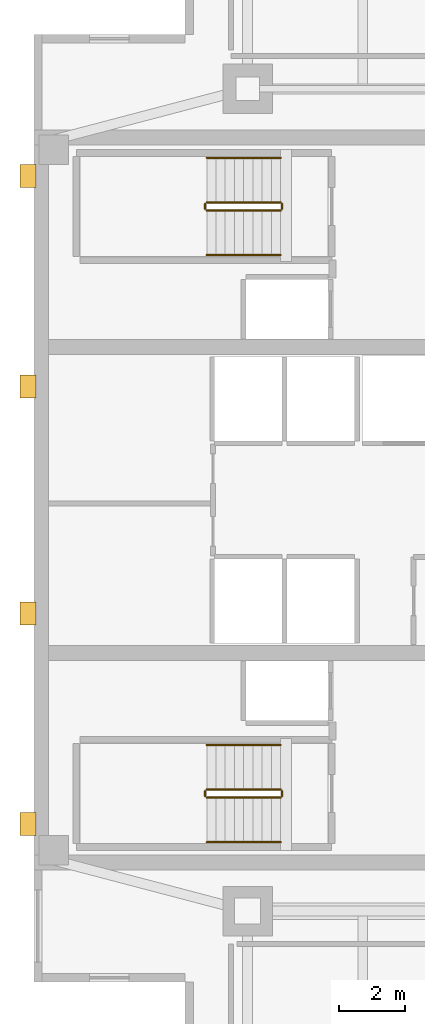
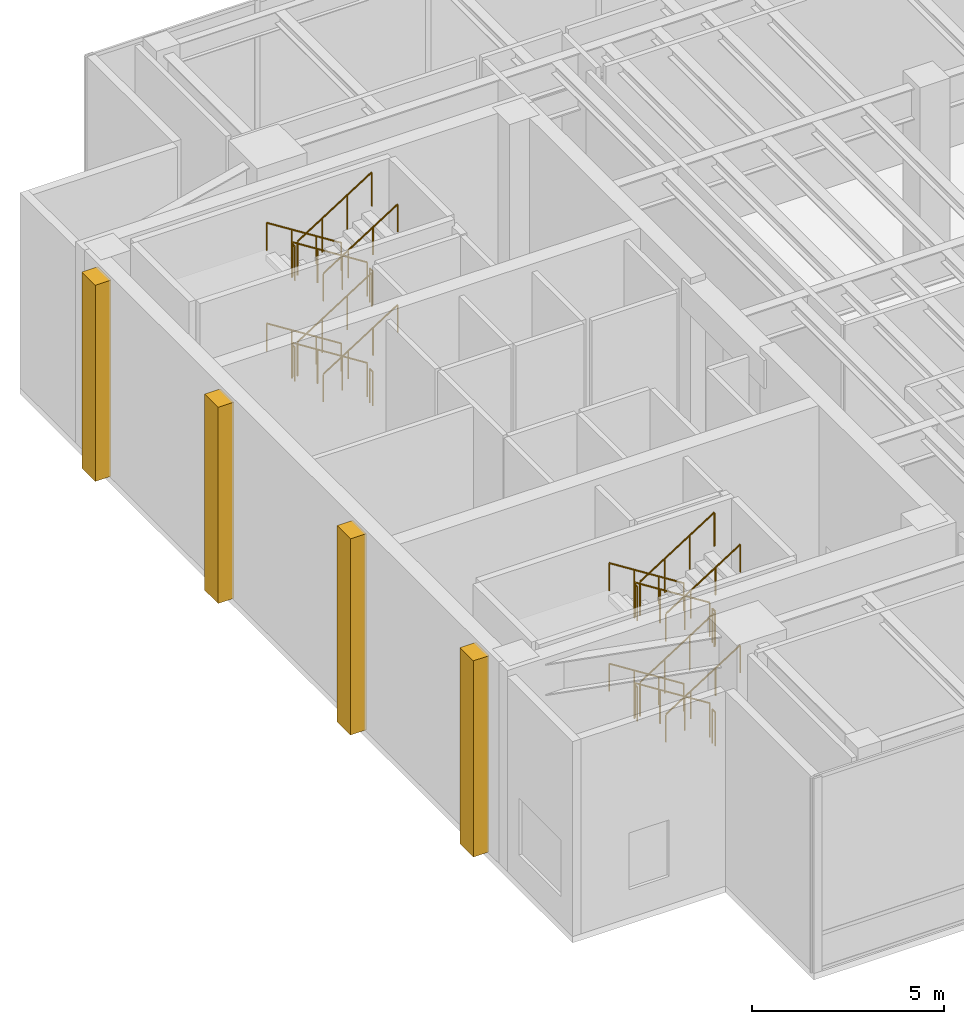
# One storey, part 11 of 11: 24 railings, 4 coverings.
"""IFC4 building model written with IfcOpenShell, lengths in metres."""

from ifc_helpers import new_model, si_unit, direction, frame, origin, origin_2d, place, context, subcontext, project, spatial, polyline, circle, outline, extrude, material, layer, layer_set, type_object, element, save


model = new_model("IFC4")

# Units and contexts
model_context = context("Model", 3, precision=1e-05, world=origin(), true_north=direction((0.0, 1.0)))
body_context = subcontext(model_context, "Body", "Model", "MODEL_VIEW")
ifc_project = project(units=[si_unit("LENGTHUNIT", "METRE"), si_unit("AREAUNIT", "SQUARE_METRE"), si_unit("VOLUMEUNIT", "CUBIC_METRE"), si_unit("PLANEANGLEUNIT", "RADIAN"), si_unit("MASSUNIT", "GRAM", prefix="KILO")], contexts=[model_context])

# Site, building, storey
site_placement = place(None, origin())
site = spatial("IfcSite", under=ifc_project, at=site_placement, CompositionType="ELEMENT")
building_placement = place(site_placement, origin())
building = spatial("IfcBuilding", under=site, at=building_placement, Name="Kinhvarn Gate Tower", CompositionType="ELEMENT")
storey_placement = place(building_placement, frame((0.0, 0.0, 296.64990234375)))
storey = spatial("IfcBuildingStorey", under=building, at=storey_placement, Name="L79", CompositionType="ELEMENT", Elevation=296.64990234375)

# Coverings
ifc_material_1 = material(Name="Precast white architectural concrete C40/50", Category="concrete")
ifc_layer = layer(ifc_material_1, 0.47998046875)
ifc_layer_set = layer_set([ifc_layer], Name="Precast white architectural concrete C40/50")
covering_type = type_object("IfcCoveringType", Name="COV-RIB-450", PredefinedType="CLADDING", material=ifc_layer_set)
covering_1_placement = place(storey_placement, frame((0.0, 0.0, -0.02001953125)))
element("IfcCovering", 1, at=covering_1_placement, inside=storey, type_object=covering_type, Name="West Core Sculptural Concrete Relief Rib CRB-450 (L79)", PredefinedType="CLADDING", context=body_context, shape_type="SweptSolid", body=[
    extrude(outline(polyline([(4.080078125, 15.050048828125), (4.56005859375, 15.050048828125), (4.56005859375, 15.75), (4.080078125, 15.75), (4.080078125, 15.050048828125)])), origin(), (0.0, 0.0, 1.0), 6.240234375),
])
covering_2_placement = place(storey_placement, frame((0.0, 0.0, -0.02001953125)))
element("IfcCovering", 2, at=covering_2_placement, inside=storey, type_object=covering_type, Name="West Core Sculptural Concrete Relief Rib CRB-450 (L79)", PredefinedType="CLADDING", context=body_context, shape_type="SweptSolid", body=[
    extrude(outline(polyline([(4.080078125, 21.449951171875), (4.56005859375, 21.449951171875), (4.56005859375, 22.14990234375), (4.080078125, 22.14990234375), (4.080078125, 21.449951171875)])), origin(), (0.0, 0.0, 1.0), 6.240234375),
])
covering_3_placement = place(storey_placement, frame((0.0, 0.0, -0.02001953125)))
element("IfcCovering", 3, at=covering_3_placement, inside=storey, type_object=covering_type, Name="West Core Sculptural Concrete Relief Rib CRB-450 (L79)", PredefinedType="CLADDING", context=body_context, shape_type="SweptSolid", body=[
    extrude(outline(polyline([(4.080078125, 28.35009765625), (4.56005859375, 28.35009765625), (4.56005859375, 29.050048828125), (4.080078125, 29.050048828125), (4.080078125, 28.35009765625)])), origin(), (0.0, 0.0, 1.0), 6.240234375),
])
covering_4_placement = place(storey_placement, frame((0.0, 0.0, -0.02001953125)))
element("IfcCovering", 4, at=covering_4_placement, inside=storey, type_object=covering_type, Name="West Core Sculptural Concrete Relief Rib CRB-450 (L79)", PredefinedType="CLADDING", context=body_context, shape_type="SweptSolid", body=[
    extrude(outline(polyline([(4.080078125, 34.75), (4.56005859375, 34.75), (4.56005859375, 35.449951171875), (4.080078125, 35.449951171875), (4.080078125, 34.75)])), origin(), (0.0, 0.0, 1.0), 6.240234375),
])

# Railings
ifc_material_2 = material(Name="Steel S355", Category="steel")
railing_type_1 = type_object("IfcRailingType", Name="RL-ST-GRD", PredefinedType="BALUSTRADE", material=ifc_material_2)
railing_1_placement = place(storey_placement, frame((12.0, 16.449951171875, 0.177978515625)))
element("IfcRailing", 5, at=railing_1_placement, inside=storey, type_object=railing_type_1, Name="L79 ST1 stair guard 1", PredefinedType="BALUSTRADE", context=body_context, shape_type="SweptSolid", body=[
    extrude(circle(Radius=0.02392578125, at=origin_2d()), frame((0.0, 0.0, 1.076171875), z_axis=(-0.8442293374, 0.0, 0.53598211339), x_axis=(0.0, -1.0, 0.0)), (0.0, 0.0, 1.0), 2.6533203125),
    extrude(circle(Radius=0.02099609375, at=origin_2d()), origin(), (0.0, 0.0, 1.0), 1.052001953125),
    extrude(circle(Radius=0.02099609375, at=origin_2d()), frame((-0.74658203125, 0.0, 0.47412109375)), (0.0, 0.0, 1.0), 1.052001953125),
    extrude(circle(Radius=0.02099609375, at=origin_2d()), frame((-1.493408203125, 0.0, 0.947998046875)), (0.0, 0.0, 1.0), 1.052001953125),
    extrude(circle(Radius=0.02099609375, at=origin_2d()), frame((-2.239990234375, 0.0, 1.422119140625)), (0.0, 0.0, 1.0), 1.052001953125),
])
railing_2_placement = place(storey_placement, frame((9.7099609375, 16.39990234375, 1.60009765625)))
element("IfcRailing", 6, at=railing_2_placement, inside=storey, type_object=railing_type_1, Name="L79 ST1 stair guard 2", PredefinedType="BALUSTRADE", context=body_context, shape_type="SweptSolid", body=[
    extrude(circle(Radius=0.02392578125, at=origin_2d()), frame((0.0, 0.0, 1.076171875), z_axis=(0.0, -1.0, 0.0), x_axis=(1.0, 0.0, 0.0)), (0.0, 0.0, 1.0), 0.14990234375),
    extrude(circle(Radius=0.02099609375, at=origin_2d()), origin(), (0.0, 0.0, 1.0), 1.052001953125),
    extrude(circle(Radius=0.02099609375, at=origin_2d()), frame((0.0, -0.14990234375, 0.0)), (0.0, 0.0, 1.0), 1.052001953125),
])
railing_3_placement = place(storey_placement, frame((9.760009765625, 16.199951171875, 1.77783203125)))
element("IfcRailing", 7, at=railing_3_placement, inside=storey, type_object=railing_type_1, Name="L79 ST1 stair guard 3", PredefinedType="BALUSTRADE", context=body_context, shape_type="SweptSolid", body=[
    extrude(circle(Radius=0.02392578125, at=origin_2d()), frame((0.0, 0.0, 1.076171875), z_axis=(0.84418770128, 0.0, 0.536047689118), x_axis=(0.0, 1.0, 0.0)), (0.0, 0.0, 1.0), 2.6533203125),
    extrude(circle(Radius=0.02099609375, at=origin_2d()), origin(), (0.0, 0.0, 1.0), 1.052001953125),
    extrude(circle(Radius=0.02099609375, at=origin_2d()), frame((0.74658203125, 0.0, 0.47412109375)), (0.0, 0.0, 1.0), 1.052001953125),
    extrude(circle(Radius=0.02099609375, at=origin_2d()), frame((1.493408203125, 0.0, 0.9482421875)), (0.0, 0.0, 1.0), 1.052001953125),
    extrude(circle(Radius=0.02099609375, at=origin_2d()), frame((2.239990234375, 0.0, 1.42236328125)), (0.0, 0.0, 1.0), 1.052001953125),
])
railing_4_placement = place(storey_placement, frame((12.050048828125, 16.39990234375, 3.2001953125)))
element("IfcRailing", 8, at=railing_4_placement, inside=storey, type_object=railing_type_1, Name="L79 ST1 stair guard 4", PredefinedType="BALUSTRADE", context=body_context, shape_type="SweptSolid", body=[
    extrude(circle(Radius=0.02392578125, at=origin_2d()), frame((0.0, 0.0, 1.076171875), z_axis=(0.0, -1.0, 0.0), x_axis=(1.0, 0.0, 0.0)), (0.0, 0.0, 1.0), 0.14990234375),
    extrude(circle(Radius=0.02099609375, at=origin_2d()), origin(), (0.0, 0.0, 1.0), 1.052001953125),
    extrude(circle(Radius=0.02099609375, at=origin_2d()), frame((0.0, -0.14990234375, 0.0)), (0.0, 0.0, 1.0), 1.052001953125),
])
railing_5_placement = place(storey_placement, frame((12.0, 16.449951171875, 3.3779296875)))
element("IfcRailing", 9, at=railing_5_placement, inside=storey, type_object=railing_type_1, Name="L79 ST1 stair guard 5", PredefinedType="BALUSTRADE", context=body_context, shape_type="SweptSolid", body=[
    extrude(circle(Radius=0.02392578125, at=origin_2d()), frame((0.0, 0.0, 1.076171875), z_axis=(-0.8442293374, 0.0, 0.53598211339), x_axis=(0.0, -1.0, 0.0)), (0.0, 0.0, 1.0), 2.6533203125),
    extrude(circle(Radius=0.02099609375, at=origin_2d()), origin(), (0.0, 0.0, 1.0), 1.052001953125),
    extrude(circle(Radius=0.02099609375, at=origin_2d()), frame((-0.74658203125, 0.0, 0.47412109375)), (0.0, 0.0, 1.0), 1.052001953125),
    extrude(circle(Radius=0.02099609375, at=origin_2d()), frame((-1.493408203125, 0.0, 0.947998046875)), (0.0, 0.0, 1.0), 1.052001953125),
    extrude(circle(Radius=0.02099609375, at=origin_2d()), frame((-2.239990234375, 0.0, 1.422119140625)), (0.0, 0.0, 1.0), 1.052001953125),
])
railing_6_placement = place(storey_placement, frame((9.7099609375, 16.39990234375, 4.800048828125)))
element("IfcRailing", 10, at=railing_6_placement, inside=storey, type_object=railing_type_1, Name="L79 ST1 stair guard 6", PredefinedType="BALUSTRADE", context=body_context, shape_type="SweptSolid", body=[
    extrude(circle(Radius=0.02392578125, at=origin_2d()), frame((0.0, 0.0, 1.076171875), z_axis=(0.0, -1.0, 0.0), x_axis=(1.0, 0.0, 0.0)), (0.0, 0.0, 1.0), 0.14990234375),
    extrude(circle(Radius=0.02099609375, at=origin_2d()), origin(), (0.0, 0.0, 1.0), 1.052001953125),
    extrude(circle(Radius=0.02099609375, at=origin_2d()), frame((0.0, -0.14990234375, 0.0)), (0.0, 0.0, 1.0), 1.052001953125),
])
railing_7_placement = place(storey_placement, frame((9.760009765625, 16.199951171875, 4.977783203125)))
element("IfcRailing", 11, at=railing_7_placement, inside=storey, type_object=railing_type_1, Name="L79 ST1 stair guard 7", PredefinedType="BALUSTRADE", context=body_context, shape_type="SweptSolid", body=[
    extrude(circle(Radius=0.02392578125, at=origin_2d()), frame((0.0, 0.0, 1.076171875), z_axis=(0.84418770128, 0.0, 0.536047689118), x_axis=(0.0, 1.0, 0.0)), (0.0, 0.0, 1.0), 2.6533203125),
    extrude(circle(Radius=0.02099609375, at=origin_2d()), origin(), (0.0, 0.0, 1.0), 1.052001953125),
    extrude(circle(Radius=0.02099609375, at=origin_2d()), frame((0.74658203125, 0.0, 0.47412109375)), (0.0, 0.0, 1.0), 1.052001953125),
    extrude(circle(Radius=0.02099609375, at=origin_2d()), frame((1.493408203125, 0.0, 0.9482421875)), (0.0, 0.0, 1.0), 1.052001953125),
    extrude(circle(Radius=0.02099609375, at=origin_2d()), frame((2.239990234375, 0.0, 1.42236328125)), (0.0, 0.0, 1.0), 1.052001953125),
])
railing_8_placement = place(storey_placement, frame((12.050048828125, 16.39990234375, 0.0)))
element("IfcRailing", 12, at=railing_8_placement, inside=storey, type_object=railing_type_1, Name="L79 ST1 stair guard 8", PredefinedType="BALUSTRADE", context=body_context, shape_type="SweptSolid", body=[
    extrude(circle(Radius=0.02392578125, at=origin_2d()), frame((0.0, 0.0, 1.076171875), z_axis=(0.0, -1.0, 0.0), x_axis=(1.0, 0.0, 0.0)), (0.0, 0.0, 1.0), 0.14990234375),
    extrude(circle(Radius=0.02099609375, at=origin_2d()), origin(), (0.0, 0.0, 1.0), 1.052001953125),
    extrude(circle(Radius=0.02099609375, at=origin_2d()), frame((0.0, -0.14990234375, 0.0)), (0.0, 0.0, 1.0), 1.052001953125),
])
railing_9_placement = place(storey_placement, frame((12.0, 34.300048828125, 0.177978515625)))
element("IfcRailing", 13, at=railing_9_placement, inside=storey, type_object=railing_type_1, Name="L79 ST2 stair guard 1", PredefinedType="BALUSTRADE", context=body_context, shape_type="SweptSolid", body=[
    extrude(circle(Radius=0.02392578125, at=origin_2d()), frame((0.0, 0.0, 1.076171875), z_axis=(-0.8442293374, 0.0, 0.53598211339), x_axis=(0.0, -1.0, 0.0)), (0.0, 0.0, 1.0), 2.6533203125),
    extrude(circle(Radius=0.02099609375, at=origin_2d()), origin(), (0.0, 0.0, 1.0), 1.052001953125),
    extrude(circle(Radius=0.02099609375, at=origin_2d()), frame((-0.74658203125, 0.0, 0.47412109375)), (0.0, 0.0, 1.0), 1.052001953125),
    extrude(circle(Radius=0.02099609375, at=origin_2d()), frame((-1.493408203125, 0.0, 0.947998046875)), (0.0, 0.0, 1.0), 1.052001953125),
    extrude(circle(Radius=0.02099609375, at=origin_2d()), frame((-2.239990234375, 0.0, 1.422119140625)), (0.0, 0.0, 1.0), 1.052001953125),
])
railing_10_placement = place(storey_placement, frame((9.7099609375, 34.25, 1.60009765625)))
element("IfcRailing", 14, at=railing_10_placement, inside=storey, type_object=railing_type_1, Name="L79 ST2 stair guard 2", PredefinedType="BALUSTRADE", context=body_context, shape_type="SweptSolid", body=[
    extrude(circle(Radius=0.02392578125, at=origin_2d()), frame((0.0, 0.0, 1.076171875), z_axis=(0.0, -1.0, 0.0), x_axis=(1.0, 0.0, 0.0)), (0.0, 0.0, 1.0), 0.14990234375),
    extrude(circle(Radius=0.02099609375, at=origin_2d()), origin(), (0.0, 0.0, 1.0), 1.052001953125),
    extrude(circle(Radius=0.02099609375, at=origin_2d()), frame((0.0, -0.14990234375, 0.0)), (0.0, 0.0, 1.0), 1.052001953125),
])
railing_11_placement = place(storey_placement, frame((9.760009765625, 34.050048828125, 1.77783203125)))
element("IfcRailing", 15, at=railing_11_placement, inside=storey, type_object=railing_type_1, Name="L79 ST2 stair guard 3", PredefinedType="BALUSTRADE", context=body_context, shape_type="SweptSolid", body=[
    extrude(circle(Radius=0.02392578125, at=origin_2d()), frame((0.0, 0.0, 1.076171875), z_axis=(0.84418770128, 0.0, 0.536047689118), x_axis=(0.0, 1.0, 0.0)), (0.0, 0.0, 1.0), 2.6533203125),
    extrude(circle(Radius=0.02099609375, at=origin_2d()), origin(), (0.0, 0.0, 1.0), 1.052001953125),
    extrude(circle(Radius=0.02099609375, at=origin_2d()), frame((0.74658203125, 0.0, 0.47412109375)), (0.0, 0.0, 1.0), 1.052001953125),
    extrude(circle(Radius=0.02099609375, at=origin_2d()), frame((1.493408203125, 0.0, 0.9482421875)), (0.0, 0.0, 1.0), 1.052001953125),
    extrude(circle(Radius=0.02099609375, at=origin_2d()), frame((2.239990234375, 0.0, 1.42236328125)), (0.0, 0.0, 1.0), 1.052001953125),
])
railing_12_placement = place(storey_placement, frame((12.050048828125, 34.25, 3.2001953125)))
element("IfcRailing", 16, at=railing_12_placement, inside=storey, type_object=railing_type_1, Name="L79 ST2 stair guard 4", PredefinedType="BALUSTRADE", context=body_context, shape_type="SweptSolid", body=[
    extrude(circle(Radius=0.02392578125, at=origin_2d()), frame((0.0, 0.0, 1.076171875), z_axis=(0.0, -1.0, 0.0), x_axis=(1.0, 0.0, 0.0)), (0.0, 0.0, 1.0), 0.14990234375),
    extrude(circle(Radius=0.02099609375, at=origin_2d()), origin(), (0.0, 0.0, 1.0), 1.052001953125),
    extrude(circle(Radius=0.02099609375, at=origin_2d()), frame((0.0, -0.14990234375, 0.0)), (0.0, 0.0, 1.0), 1.052001953125),
])
railing_13_placement = place(storey_placement, frame((12.0, 34.300048828125, 3.3779296875)))
element("IfcRailing", 17, at=railing_13_placement, inside=storey, type_object=railing_type_1, Name="L79 ST2 stair guard 5", PredefinedType="BALUSTRADE", context=body_context, shape_type="SweptSolid", body=[
    extrude(circle(Radius=0.02392578125, at=origin_2d()), frame((0.0, 0.0, 1.076171875), z_axis=(-0.8442293374, 0.0, 0.53598211339), x_axis=(0.0, -1.0, 0.0)), (0.0, 0.0, 1.0), 2.6533203125),
    extrude(circle(Radius=0.02099609375, at=origin_2d()), origin(), (0.0, 0.0, 1.0), 1.052001953125),
    extrude(circle(Radius=0.02099609375, at=origin_2d()), frame((-0.74658203125, 0.0, 0.47412109375)), (0.0, 0.0, 1.0), 1.052001953125),
    extrude(circle(Radius=0.02099609375, at=origin_2d()), frame((-1.493408203125, 0.0, 0.947998046875)), (0.0, 0.0, 1.0), 1.052001953125),
    extrude(circle(Radius=0.02099609375, at=origin_2d()), frame((-2.239990234375, 0.0, 1.422119140625)), (0.0, 0.0, 1.0), 1.052001953125),
])
railing_14_placement = place(storey_placement, frame((9.7099609375, 34.25, 4.800048828125)))
element("IfcRailing", 18, at=railing_14_placement, inside=storey, type_object=railing_type_1, Name="L79 ST2 stair guard 6", PredefinedType="BALUSTRADE", context=body_context, shape_type="SweptSolid", body=[
    extrude(circle(Radius=0.02392578125, at=origin_2d()), frame((0.0, 0.0, 1.076171875), z_axis=(0.0, -1.0, 0.0), x_axis=(1.0, 0.0, 0.0)), (0.0, 0.0, 1.0), 0.14990234375),
    extrude(circle(Radius=0.02099609375, at=origin_2d()), origin(), (0.0, 0.0, 1.0), 1.052001953125),
    extrude(circle(Radius=0.02099609375, at=origin_2d()), frame((0.0, -0.14990234375, 0.0)), (0.0, 0.0, 1.0), 1.052001953125),
])
railing_15_placement = place(storey_placement, frame((9.760009765625, 34.050048828125, 4.977783203125)))
element("IfcRailing", 19, at=railing_15_placement, inside=storey, type_object=railing_type_1, Name="L79 ST2 stair guard 7", PredefinedType="BALUSTRADE", context=body_context, shape_type="SweptSolid", body=[
    extrude(circle(Radius=0.02392578125, at=origin_2d()), frame((0.0, 0.0, 1.076171875), z_axis=(0.84418770128, 0.0, 0.536047689118), x_axis=(0.0, 1.0, 0.0)), (0.0, 0.0, 1.0), 2.6533203125),
    extrude(circle(Radius=0.02099609375, at=origin_2d()), origin(), (0.0, 0.0, 1.0), 1.052001953125),
    extrude(circle(Radius=0.02099609375, at=origin_2d()), frame((0.74658203125, 0.0, 0.47412109375)), (0.0, 0.0, 1.0), 1.052001953125),
    extrude(circle(Radius=0.02099609375, at=origin_2d()), frame((1.493408203125, 0.0, 0.9482421875)), (0.0, 0.0, 1.0), 1.052001953125),
    extrude(circle(Radius=0.02099609375, at=origin_2d()), frame((2.239990234375, 0.0, 1.42236328125)), (0.0, 0.0, 1.0), 1.052001953125),
])
railing_16_placement = place(storey_placement, frame((12.050048828125, 34.25, 0.0)))
element("IfcRailing", 20, at=railing_16_placement, inside=storey, type_object=railing_type_1, Name="L79 ST2 stair guard 8", PredefinedType="BALUSTRADE", context=body_context, shape_type="SweptSolid", body=[
    extrude(circle(Radius=0.02392578125, at=origin_2d()), frame((0.0, 0.0, 1.076171875), z_axis=(0.0, -1.0, 0.0), x_axis=(1.0, 0.0, 0.0)), (0.0, 0.0, 1.0), 0.14990234375),
    extrude(circle(Radius=0.02099609375, at=origin_2d()), origin(), (0.0, 0.0, 1.0), 1.052001953125),
    extrude(circle(Radius=0.02099609375, at=origin_2d()), frame((0.0, -0.14990234375, 0.0)), (0.0, 0.0, 1.0), 1.052001953125),
])
railing_type_2 = type_object("IfcRailingType", Name="RL-ST-HND", PredefinedType="HANDRAIL", material=ifc_material_2)
railing_17_placement = place(storey_placement, frame((12.0, 17.800048828125, 0.177978515625)))
element("IfcRailing", 21, at=railing_17_placement, inside=storey, type_object=railing_type_2, Name="L79 ST1 stair handrail 1", PredefinedType="HANDRAIL", context=body_context, shape_type="SweptSolid", body=[
    extrude(circle(Radius=0.02392578125, at=origin_2d()), frame((0.0, 0.0, 0.8759765625), z_axis=(-0.8442293374, 0.0, 0.53598211339), x_axis=(0.0, -1.0, 0.0)), (0.0, 0.0, 1.0), 2.6533203125),
    extrude(circle(Radius=0.02099609375, at=origin_2d()), origin(), (0.0, 0.0, 1.0), 0.851806640625),
    extrude(circle(Radius=0.02099609375, at=origin_2d()), frame((-0.74658203125, 0.0, 0.47412109375)), (0.0, 0.0, 1.0), 0.851806640625),
    extrude(circle(Radius=0.02099609375, at=origin_2d()), frame((-1.493408203125, 0.0, 0.947998046875)), (0.0, 0.0, 1.0), 0.851806640625),
    extrude(circle(Radius=0.02099609375, at=origin_2d()), frame((-2.239990234375, 0.0, 1.422119140625)), (0.0, 0.0, 1.0), 0.851806640625),
])
railing_18_placement = place(storey_placement, frame((9.760009765625, 14.85009765625, 1.77783203125)))
element("IfcRailing", 22, at=railing_18_placement, inside=storey, type_object=railing_type_2, Name="L79 ST1 stair handrail 2", PredefinedType="HANDRAIL", context=body_context, shape_type="SweptSolid", body=[
    extrude(circle(Radius=0.02392578125, at=origin_2d()), frame((0.0, 0.0, 0.8759765625), z_axis=(0.84418770128, 0.0, 0.536047689118), x_axis=(0.0, 1.0, 0.0)), (0.0, 0.0, 1.0), 2.6533203125),
    extrude(circle(Radius=0.02099609375, at=origin_2d()), origin(), (0.0, 0.0, 1.0), 0.851806640625),
    extrude(circle(Radius=0.02099609375, at=origin_2d()), frame((0.74658203125, 0.0, 0.47412109375)), (0.0, 0.0, 1.0), 0.851806640625),
    extrude(circle(Radius=0.02099609375, at=origin_2d()), frame((1.493408203125, 0.0, 0.9482421875)), (0.0, 0.0, 1.0), 0.851806640625),
    extrude(circle(Radius=0.02099609375, at=origin_2d()), frame((2.239990234375, 0.0, 1.42236328125)), (0.0, 0.0, 1.0), 0.851806640625),
])
railing_19_placement = place(storey_placement, frame((12.0, 17.800048828125, 3.3779296875)))
element("IfcRailing", 23, at=railing_19_placement, inside=storey, type_object=railing_type_2, Name="L79 ST1 stair handrail 3", PredefinedType="HANDRAIL", context=body_context, shape_type="SweptSolid", body=[
    extrude(circle(Radius=0.02392578125, at=origin_2d()), frame((0.0, 0.0, 0.8759765625), z_axis=(-0.8442293374, 0.0, 0.53598211339), x_axis=(0.0, -1.0, 0.0)), (0.0, 0.0, 1.0), 2.6533203125),
    extrude(circle(Radius=0.02099609375, at=origin_2d()), origin(), (0.0, 0.0, 1.0), 0.851806640625),
    extrude(circle(Radius=0.02099609375, at=origin_2d()), frame((-0.74658203125, 0.0, 0.47412109375)), (0.0, 0.0, 1.0), 0.851806640625),
    extrude(circle(Radius=0.02099609375, at=origin_2d()), frame((-1.493408203125, 0.0, 0.947998046875)), (0.0, 0.0, 1.0), 0.851806640625),
    extrude(circle(Radius=0.02099609375, at=origin_2d()), frame((-2.239990234375, 0.0, 1.422119140625)), (0.0, 0.0, 1.0), 0.851806640625),
])
railing_20_placement = place(storey_placement, frame((9.760009765625, 14.85009765625, 4.977783203125)))
element("IfcRailing", 24, at=railing_20_placement, inside=storey, type_object=railing_type_2, Name="L79 ST1 stair handrail 4", PredefinedType="HANDRAIL", context=body_context, shape_type="SweptSolid", body=[
    extrude(circle(Radius=0.02392578125, at=origin_2d()), frame((0.0, 0.0, 0.8759765625), z_axis=(0.84418770128, 0.0, 0.536047689118), x_axis=(0.0, 1.0, 0.0)), (0.0, 0.0, 1.0), 2.6533203125),
    extrude(circle(Radius=0.02099609375, at=origin_2d()), origin(), (0.0, 0.0, 1.0), 0.851806640625),
    extrude(circle(Radius=0.02099609375, at=origin_2d()), frame((0.74658203125, 0.0, 0.47412109375)), (0.0, 0.0, 1.0), 0.851806640625),
    extrude(circle(Radius=0.02099609375, at=origin_2d()), frame((1.493408203125, 0.0, 0.9482421875)), (0.0, 0.0, 1.0), 0.851806640625),
    extrude(circle(Radius=0.02099609375, at=origin_2d()), frame((2.239990234375, 0.0, 1.42236328125)), (0.0, 0.0, 1.0), 0.851806640625),
])
railing_21_placement = place(storey_placement, frame((12.0, 35.64990234375, 0.177978515625)))
element("IfcRailing", 25, at=railing_21_placement, inside=storey, type_object=railing_type_2, Name="L79 ST2 stair handrail 1", PredefinedType="HANDRAIL", context=body_context, shape_type="SweptSolid", body=[
    extrude(circle(Radius=0.02392578125, at=origin_2d()), frame((0.0, 0.0, 0.8759765625), z_axis=(-0.8442293374, 0.0, 0.53598211339), x_axis=(0.0, -1.0, 0.0)), (0.0, 0.0, 1.0), 2.6533203125),
    extrude(circle(Radius=0.02099609375, at=origin_2d()), origin(), (0.0, 0.0, 1.0), 0.851806640625),
    extrude(circle(Radius=0.02099609375, at=origin_2d()), frame((-0.74658203125, 0.0, 0.47412109375)), (0.0, 0.0, 1.0), 0.851806640625),
    extrude(circle(Radius=0.02099609375, at=origin_2d()), frame((-1.493408203125, 0.0, 0.947998046875)), (0.0, 0.0, 1.0), 0.851806640625),
    extrude(circle(Radius=0.02099609375, at=origin_2d()), frame((-2.239990234375, 0.0, 1.422119140625)), (0.0, 0.0, 1.0), 0.851806640625),
])
railing_22_placement = place(storey_placement, frame((9.760009765625, 32.699951171875, 1.77783203125)))
element("IfcRailing", 26, at=railing_22_placement, inside=storey, type_object=railing_type_2, Name="L79 ST2 stair handrail 2", PredefinedType="HANDRAIL", context=body_context, shape_type="SweptSolid", body=[
    extrude(circle(Radius=0.02392578125, at=origin_2d()), frame((0.0, 0.0, 0.8759765625), z_axis=(0.84418770128, 0.0, 0.536047689118), x_axis=(0.0, 1.0, 0.0)), (0.0, 0.0, 1.0), 2.6533203125),
    extrude(circle(Radius=0.02099609375, at=origin_2d()), origin(), (0.0, 0.0, 1.0), 0.851806640625),
    extrude(circle(Radius=0.02099609375, at=origin_2d()), frame((0.74658203125, 0.0, 0.47412109375)), (0.0, 0.0, 1.0), 0.851806640625),
    extrude(circle(Radius=0.02099609375, at=origin_2d()), frame((1.493408203125, 0.0, 0.9482421875)), (0.0, 0.0, 1.0), 0.851806640625),
    extrude(circle(Radius=0.02099609375, at=origin_2d()), frame((2.239990234375, 0.0, 1.42236328125)), (0.0, 0.0, 1.0), 0.851806640625),
])
railing_23_placement = place(storey_placement, frame((12.0, 35.64990234375, 3.3779296875)))
element("IfcRailing", 27, at=railing_23_placement, inside=storey, type_object=railing_type_2, Name="L79 ST2 stair handrail 3", PredefinedType="HANDRAIL", context=body_context, shape_type="SweptSolid", body=[
    extrude(circle(Radius=0.02392578125, at=origin_2d()), frame((0.0, 0.0, 0.8759765625), z_axis=(-0.8442293374, 0.0, 0.53598211339), x_axis=(0.0, -1.0, 0.0)), (0.0, 0.0, 1.0), 2.6533203125),
    extrude(circle(Radius=0.02099609375, at=origin_2d()), origin(), (0.0, 0.0, 1.0), 0.851806640625),
    extrude(circle(Radius=0.02099609375, at=origin_2d()), frame((-0.74658203125, 0.0, 0.47412109375)), (0.0, 0.0, 1.0), 0.851806640625),
    extrude(circle(Radius=0.02099609375, at=origin_2d()), frame((-1.493408203125, 0.0, 0.947998046875)), (0.0, 0.0, 1.0), 0.851806640625),
    extrude(circle(Radius=0.02099609375, at=origin_2d()), frame((-2.239990234375, 0.0, 1.422119140625)), (0.0, 0.0, 1.0), 0.851806640625),
])
railing_24_placement = place(storey_placement, frame((9.760009765625, 32.699951171875, 4.977783203125)))
element("IfcRailing", 28, at=railing_24_placement, inside=storey, type_object=railing_type_2, Name="L79 ST2 stair handrail 4", PredefinedType="HANDRAIL", context=body_context, shape_type="SweptSolid", body=[
    extrude(circle(Radius=0.02392578125, at=origin_2d()), frame((0.0, 0.0, 0.8759765625), z_axis=(0.84418770128, 0.0, 0.536047689118), x_axis=(0.0, 1.0, 0.0)), (0.0, 0.0, 1.0), 2.6533203125),
    extrude(circle(Radius=0.02099609375, at=origin_2d()), origin(), (0.0, 0.0, 1.0), 0.851806640625),
    extrude(circle(Radius=0.02099609375, at=origin_2d()), frame((0.74658203125, 0.0, 0.47412109375)), (0.0, 0.0, 1.0), 0.851806640625),
    extrude(circle(Radius=0.02099609375, at=origin_2d()), frame((1.493408203125, 0.0, 0.9482421875)), (0.0, 0.0, 1.0), 0.851806640625),
    extrude(circle(Radius=0.02099609375, at=origin_2d()), frame((2.239990234375, 0.0, 1.42236328125)), (0.0, 0.0, 1.0), 0.851806640625),
])

save(model, "model.ifc")
